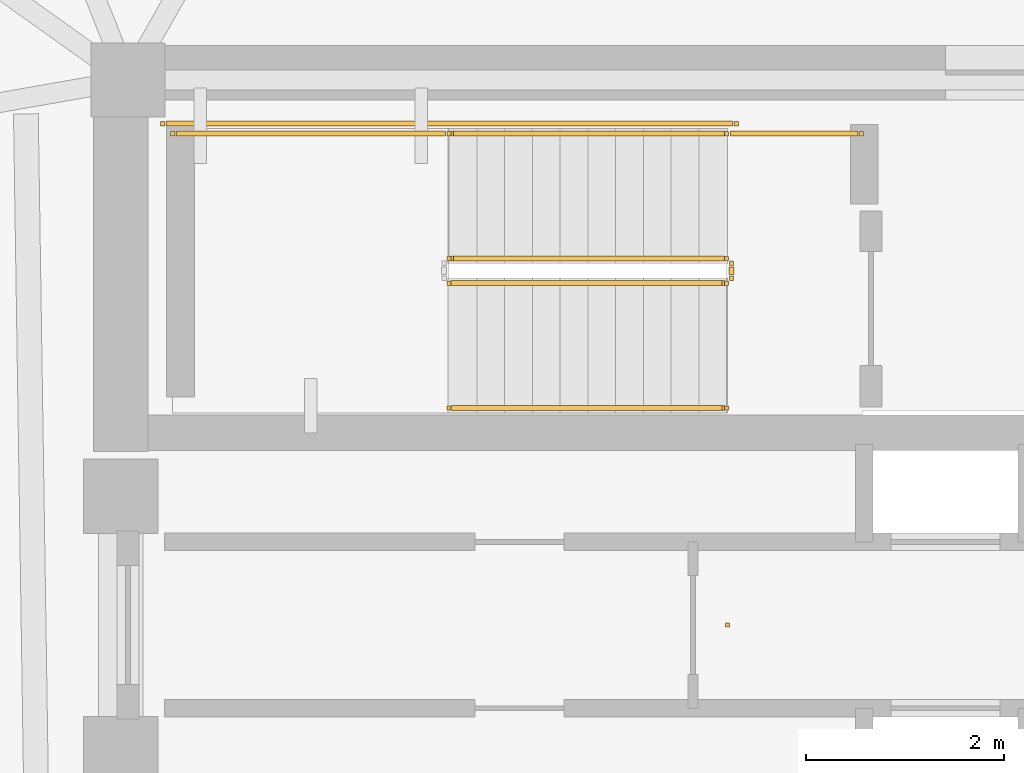
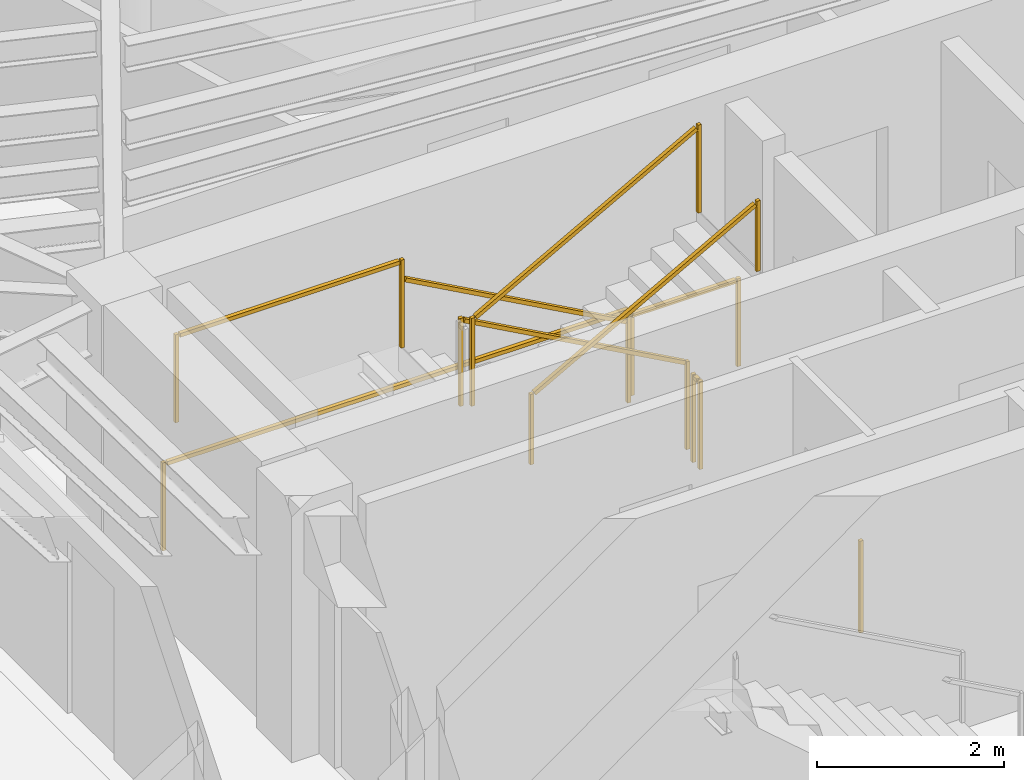
# One storey, part 8 of 9: 9 railings.
"""IFC4 building model written with IfcOpenShell, lengths in metres."""

from ifc_helpers import new_model, si_unit, direction, frame, origin, origin_2d, place, context, subcontext, project, spatial, rectangle, extrude, material, type_object, element, save


model = new_model("IFC4")

# Units and contexts
model_context = context("Model", 3, precision=1e-05, world=origin(), true_north=direction((0.0, 1.0)))
body_context = subcontext(model_context, "Body", "Model", "MODEL_VIEW")
ifc_project = project(units=[si_unit("LENGTHUNIT", "METRE"), si_unit("AREAUNIT", "SQUARE_METRE"), si_unit("VOLUMEUNIT", "CUBIC_METRE"), si_unit("PLANEANGLEUNIT", "RADIAN"), si_unit("MASSUNIT", "GRAM", prefix="KILO")], contexts=[model_context])

# Site, building, storey
site_placement = place(None, origin())
site = spatial("IfcSite", under=ifc_project, at=site_placement, CompositionType="ELEMENT")
building_placement = place(site_placement, origin())
building = spatial("IfcBuilding", under=site, at=building_placement, Name="Yunling Apex Tower", CompositionType="ELEMENT")
storey_placement = place(building_placement, frame((0.0, 0.0, 257.550048828125)))
storey = spatial("IfcBuildingStorey", under=building, at=storey_placement, Name="L62", CompositionType="ELEMENT", Elevation=257.550048828125)

# Railings
ifc_material_1 = material(Name="Bronze anodised aluminium", Category="aluminium")
railing_type_1 = type_object("IfcRailingType", Name="RL-BAL-1200", PredefinedType="BALUSTRADE", material=ifc_material_1)
railing_1_placement = place(storey_placement, origin())
element("IfcRailing", 1, at=railing_1_placement, inside=storey, type_object=railing_type_1, Name="RL-TATR-L62", PredefinedType="BALUSTRADE", context=body_context, shape_type="SweptSolid", body=[
    extrude(rectangle(XDim=0.0439453125, YDim=0.0439453125, at=origin_2d()), origin(), (0.0, 0.0, 1.0), 1.199951171875),
])
ifc_material_2 = material(Name="Steel Q355B", Category="steel")
railing_type_2 = type_object("IfcRailingType", Name="RL-GRD-1150", PredefinedType="GUARDRAIL", material=ifc_material_2)
railing_2_placement = place(storey_placement, frame((-0.010009765625, 3.699951171875, 0.154541015625)))
element("IfcRailing", 2, at=railing_2_placement, inside=storey, type_object=railing_type_2, Name="L62 ST-1 stair guard 1", PredefinedType="GUARDRAIL", context=body_context, shape_type="SweptSolid", body=[
    extrude(rectangle(XDim=0.0439453125, YDim=0.0439453125, at=origin_2d()), origin(), (0.0, 0.0, 1.0), 1.14990234375),
    extrude(rectangle(XDim=0.0439453125, YDim=0.0439453125, at=origin_2d()), frame((-2.800048828125, 0.0, 1.54541015625)), (0.0, 0.0, 1.0), 1.14990234375),
    extrude(rectangle(XDim=0.050048828125, YDim=0.050048828125, at=origin_2d()), frame((-0.033447265625, 0.0, 1.143310546875), z_axis=(-0.875504190374, 0.0, 0.483210526207), x_axis=(0.0, -1.0, 0.0)), (0.0, 0.0, 1.0), 3.12158203125),
])
railing_3_placement = place(storey_placement, frame((-2.81005859375, 4.9599609375, 1.699951171875)))
element("IfcRailing", 3, at=railing_3_placement, inside=storey, type_object=railing_type_2, Name="L62 ST-1 stair guard 3", PredefinedType="GUARDRAIL", context=body_context, shape_type="SweptSolid", body=[
    extrude(rectangle(XDim=0.0439453125, YDim=0.0439453125, at=origin_2d()), origin(), (0.0, 0.0, 1.0), 1.14990234375),
    extrude(rectangle(XDim=0.0439453125, YDim=0.0439453125, at=origin_2d()), frame((-2.7900390625, 0.0, 0.0)), (0.0, 0.0, 1.0), 1.14990234375),
    extrude(rectangle(XDim=0.050048828125, YDim=0.050048828125, at=origin_2d()), frame((-0.038330078125, 0.0, 1.125), z_axis=(-1.0, 0.0, 0.0), x_axis=(0.0, -1.0, 0.0)), (0.0, 0.0, 1.0), 2.71337890625),
])
railing_4_placement = place(storey_placement, frame((-2.81005859375, 3.449951171875, 1.8544921875)))
element("IfcRailing", 4, at=railing_4_placement, inside=storey, type_object=railing_type_2, Name="L62 ST-1 stair guard 4", PredefinedType="GUARDRAIL", context=body_context, shape_type="SweptSolid", body=[
    extrude(rectangle(XDim=0.0439453125, YDim=0.0439453125, at=origin_2d()), origin(), (0.0, 0.0, 1.0), 1.14990234375),
    extrude(rectangle(XDim=0.0439453125, YDim=0.0439453125, at=origin_2d()), frame((2.800048828125, 0.0, 1.54541015625)), (0.0, 0.0, 1.0), 1.14990234375),
    extrude(rectangle(XDim=0.050048828125, YDim=0.050048828125, at=origin_2d()), frame((0.033447265625, 0.0, 1.143310546875), z_axis=(0.875504190374, 0.0, 0.483210526207), x_axis=(0.0, 1.0, 0.0)), (0.0, 0.0, 1.0), 3.12158203125),
])
railing_5_placement = place(storey_placement, frame((0.0400390625, 3.64990234375, 0.0)))
element("IfcRailing", 5, at=railing_5_placement, inside=storey, type_object=railing_type_2, Name="L62 ST-1 stair guard 5", PredefinedType="GUARDRAIL", context=body_context, shape_type="SweptSolid", body=[
    extrude(rectangle(XDim=0.0439453125, YDim=0.0439453125, at=origin_2d()), origin(), (0.0, 0.0, 1.0), 1.14990234375),
    extrude(rectangle(XDim=0.0439453125, YDim=0.0439453125, at=origin_2d()), frame((0.0, -0.14990234375, 0.0)), (0.0, 0.0, 1.0), 1.14990234375),
    extrude(rectangle(XDim=0.050048828125, YDim=0.050048828125, at=origin_2d()), frame((0.0, -0.038330078125, 1.125), z_axis=(0.0, -1.0, 0.0), x_axis=(1.0, 0.0, 0.0)), (0.0, 0.0, 1.0), 0.0732421875),
])
railing_6_placement = place(storey_placement, frame((1.35009765625, 4.9599609375, 0.0)))
element("IfcRailing", 6, at=railing_6_placement, inside=storey, type_object=railing_type_2, Name="L62 ST-1 stair guard 6", PredefinedType="GUARDRAIL", context=body_context, shape_type="SweptSolid", body=[
    extrude(rectangle(XDim=0.0439453125, YDim=0.0439453125, at=origin_2d()), origin(), (0.0, 0.0, 1.0), 1.14990234375),
    extrude(rectangle(XDim=0.0439453125, YDim=0.0439453125, at=origin_2d()), frame((-1.360107421875, 0.0, 0.0)), (0.0, 0.0, 1.0), 1.14990234375),
    extrude(rectangle(XDim=0.050048828125, YDim=0.050048828125, at=origin_2d()), frame((-0.038330078125, 0.0, 1.125), z_axis=(-1.0, 0.0, 0.0), x_axis=(0.0, -1.0, 0.0)), (0.0, 0.0, 1.0), 1.283447265625),
])
railing_7_placement = place(storey_placement, frame((0.090087890625, 5.06005859375, 0.0)))
element("IfcRailing", 7, at=railing_7_placement, inside=storey, type_object=railing_type_2, Name="L62 ST-1 stair guard 7", PredefinedType="GUARDRAIL", context=body_context, shape_type="SweptSolid", body=[
    extrude(rectangle(XDim=0.0439453125, YDim=0.0439453125, at=origin_2d()), origin(), (0.0, 0.0, 1.0), 1.14990234375),
    extrude(rectangle(XDim=0.0439453125, YDim=0.0439453125, at=origin_2d()), frame((-5.7900390625, 0.0, 0.0)), (0.0, 0.0, 1.0), 1.14990234375),
    extrude(rectangle(XDim=0.050048828125, YDim=0.050048828125, at=origin_2d()), frame((-0.038330078125, 0.0, 1.125), z_axis=(-1.0, 0.0, 0.0), x_axis=(0.0, -1.0, 0.0)), (0.0, 0.0, 1.0), 5.71337890625),
])
ifc_material_3 = material(Name="Silver anodised aluminium", Category="aluminium")
railing_type_3 = type_object("IfcRailingType", Name="RL-HND-900", PredefinedType="HANDRAIL", material=ifc_material_3)
railing_8_placement = place(storey_placement, frame((-0.010009765625, 4.9599609375, 0.154541015625)))
element("IfcRailing", 8, at=railing_8_placement, inside=storey, type_object=railing_type_3, Name="L62 ST-1 stair handrail 1", PredefinedType="HANDRAIL", context=body_context, shape_type="SweptSolid", body=[
    extrude(rectangle(XDim=0.0439453125, YDim=0.0439453125, at=origin_2d()), origin(), (0.0, 0.0, 1.0), 0.919921875),
    extrude(rectangle(XDim=0.0439453125, YDim=0.0439453125, at=origin_2d()), frame((-2.800048828125, 0.0, 1.54541015625)), (0.0, 0.0, 1.0), 0.919921875),
    extrude(rectangle(XDim=0.050048828125, YDim=0.050048828125, at=origin_2d()), frame((-0.033447265625, 0.0, 0.913330078125), z_axis=(-0.875504190374, 0.0, 0.483210526207), x_axis=(0.0, -1.0, 0.0)), (0.0, 0.0, 1.0), 3.12158203125),
])
railing_9_placement = place(storey_placement, frame((-2.81005859375, 2.18994140625, 1.8544921875)))
element("IfcRailing", 9, at=railing_9_placement, inside=storey, type_object=railing_type_3, Name="L62 ST-1 stair handrail 2", PredefinedType="HANDRAIL", context=body_context, shape_type="SweptSolid", body=[
    extrude(rectangle(XDim=0.0439453125, YDim=0.0439453125, at=origin_2d()), origin(), (0.0, 0.0, 1.0), 0.919921875),
    extrude(rectangle(XDim=0.0439453125, YDim=0.0439453125, at=origin_2d()), frame((2.800048828125, 0.0, 1.54541015625)), (0.0, 0.0, 1.0), 0.919921875),
    extrude(rectangle(XDim=0.050048828125, YDim=0.050048828125, at=origin_2d()), frame((0.033447265625, 0.0, 0.913330078125), z_axis=(0.875504190374, 0.0, 0.483210526207), x_axis=(0.0, 1.0, 0.0)), (0.0, 0.0, 1.0), 3.12158203125),
])

save(model, "model.ifc")
